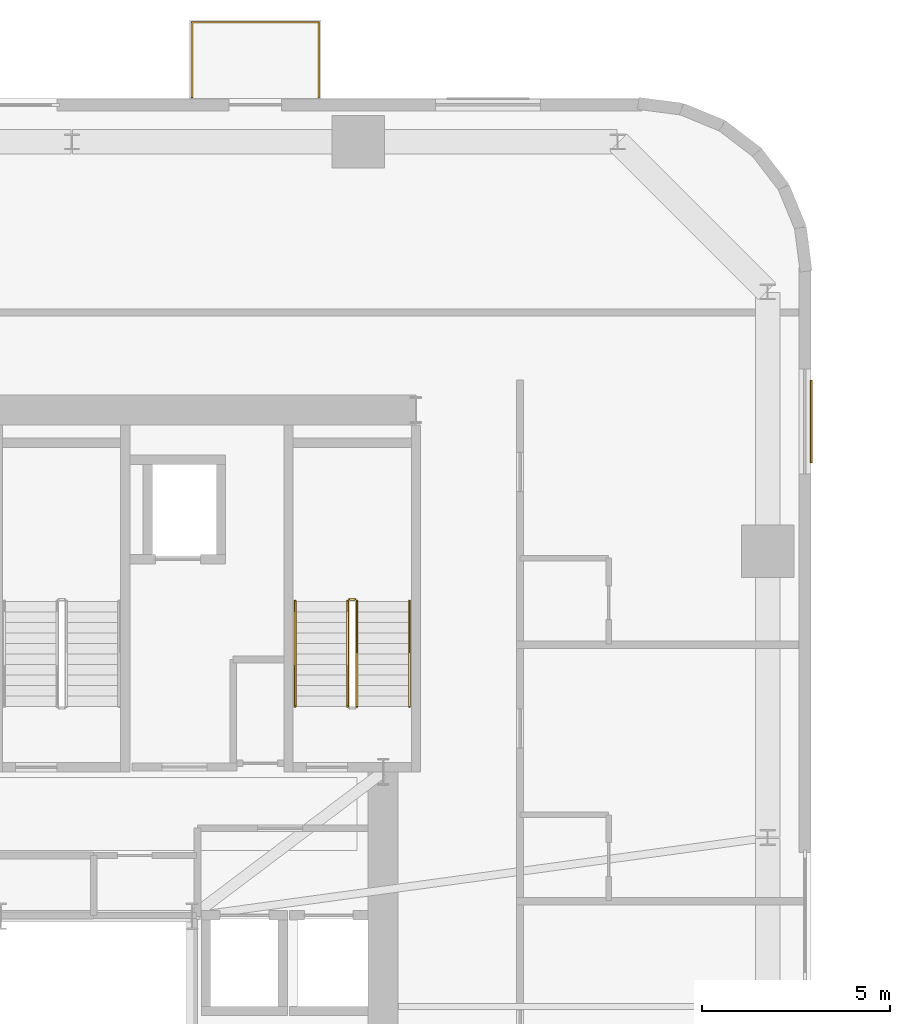
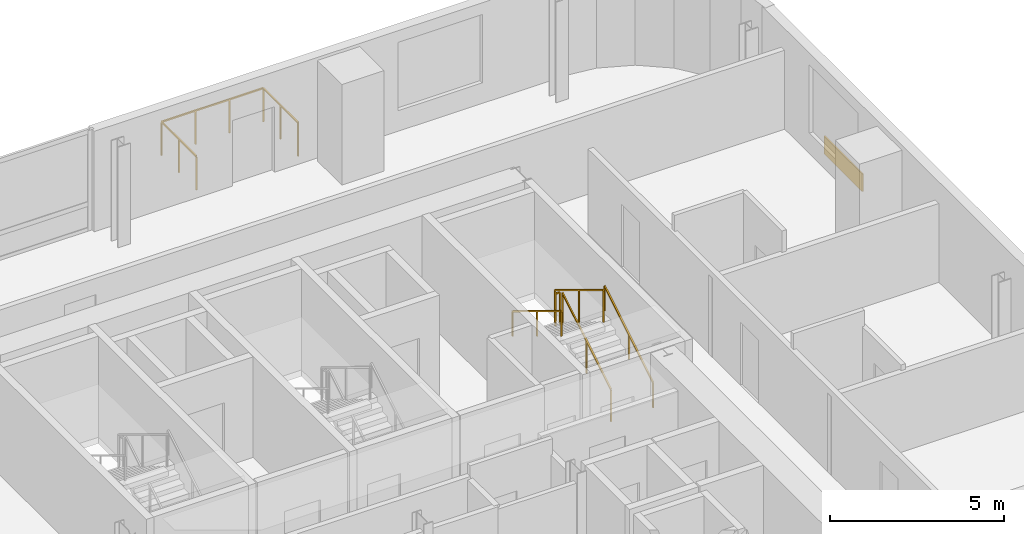
# One storey, part 16 of 16: 6 railings, 1 covering.
"""IFC4 building model written with IfcOpenShell, lengths in metres."""

from ifc_helpers import new_model, si_unit, direction, frame, origin, origin_2d, place, context, subcontext, project, spatial, rectangle, extrude, source, transform, mapped, material, layer, layer_set, type_object, element, save


model = new_model("IFC4")

# Units and contexts
model_context = context("Model", 3, precision=1e-05, world=origin(), true_north=direction((0.0, 1.0)))
body_context = subcontext(model_context, "Body", "Model", "MODEL_VIEW")
ifc_project = project(units=[si_unit("LENGTHUNIT", "METRE"), si_unit("AREAUNIT", "SQUARE_METRE"), si_unit("VOLUMEUNIT", "CUBIC_METRE"), si_unit("PLANEANGLEUNIT", "RADIAN"), si_unit("MASSUNIT", "GRAM", prefix="KILO")], contexts=[model_context])

# Site, building, storey
site_placement = place(None, origin())
site = spatial("IfcSite", under=ifc_project, at=site_placement, CompositionType="ELEMENT")
building_placement = place(site_placement, origin())
building = spatial("IfcBuilding", under=site, at=building_placement, Name="Vardaveli Station Tower", CompositionType="ELEMENT")
storey_placement = place(building_placement, frame((0.0, 0.0, 211.050048828125)))
storey = spatial("IfcBuildingStorey", under=building, at=storey_placement, Name="L54", CompositionType="ELEMENT", Elevation=211.050048828125)

# Covering
ifc_material_1 = material(Name="Ventilated honed travertine stone cladding", Category="masonry")
ifc_layer = layer(ifc_material_1, 0.044921875, Name="Ventilated honed travertine stone cladding")
ifc_layer_set = layer_set([ifc_layer], Name="Ventilated honed travertine stone cladding")
covering_type = type_object("IfcCoveringType", Name="COV-CLAD-TR45", PredefinedType="CLADDING", material=ifc_layer_set)
shared_shape_1 = source(origin(), body_context, "Body", "SweptSolid", [
    extrude(rectangle(XDim=2.199951171875, YDim=0.044921875, at=origin_2d()), origin(), (0.0, 0.0, 1.0), 0.6201171875),
])
covering_placement = place(storey_placement, frame((57.91455078125, 39.9951171875, 0.06982421875), z_axis=(0.0, 0.0, 1.0), x_axis=(0.0, 1.0, 0.0)))
element("IfcCovering", 1, at=covering_placement, inside=storey, type_object=covering_type, Name="CLD-TR-L54-E", PredefinedType="CLADDING", context=body_context, shape_type="MappedRepresentation", body=[
    mapped(shared_shape_1, transform((0.0, 0.0, 0.0), scale=1.0)),
])

# Railings
ifc_material_2 = material(Name="Laminated glass and stainless steel balustrade", Category="steel")
railing_type_1 = type_object("IfcRailingType", Name="RL-BAL-1200", PredefinedType="BALUSTRADE", material=ifc_material_2)
shared_shape_2 = source(origin(), body_context, "Body", "SweptSolid", [
    extrude(rectangle(XDim=0.048095703125, YDim=0.048095703125, at=origin_2d()), frame((0.0, 0.0, 1.17578125), z_axis=(0.0, 1.0, 0.0), x_axis=(-1.0, 0.0, 0.0)), (0.0, 0.0, 1.0), 2.0),
    extrude(rectangle(XDim=0.048095703125, YDim=0.048095703125, at=origin_2d()), frame((0.0, 2.0, 1.17578125), z_axis=(1.0, 0.0, 0.0), x_axis=(0.0, 1.0, 0.0)), (0.0, 0.0, 1.0), 3.3798828125),
    extrude(rectangle(XDim=0.048095703125, YDim=0.048095703125, at=origin_2d()), frame((3.3798828125, 2.0, 1.17578125), z_axis=(0.0, -1.0, 0.0), x_axis=(1.0, 0.0, 0.0)), (0.0, 0.0, 1.0), 2.0),
    extrude(rectangle(XDim=0.0419921875, YDim=0.0419921875, at=origin_2d()), origin(), (0.0, 0.0, 1.0), 1.15185546875),
    extrude(rectangle(XDim=0.0419921875, YDim=0.0419921875, at=origin_2d()), frame((0.0, 1.0, 0.0)), (0.0, 0.0, 1.0), 1.15185546875),
    extrude(rectangle(XDim=0.0419921875, YDim=0.0419921875, at=origin_2d()), frame((0.0, 2.0, 0.0)), (0.0, 0.0, 1.0), 1.15185546875),
    extrude(rectangle(XDim=0.0419921875, YDim=0.0419921875, at=origin_2d()), frame((1.126708984375, 2.0, 0.0)), (0.0, 0.0, 1.0), 1.15185546875),
    extrude(rectangle(XDim=0.0419921875, YDim=0.0419921875, at=origin_2d()), frame((2.253173828125, 2.0, 0.0)), (0.0, 0.0, 1.0), 1.15185546875),
    extrude(rectangle(XDim=0.0419921875, YDim=0.0419921875, at=origin_2d()), frame((3.3798828125, 2.0, 0.0)), (0.0, 0.0, 1.0), 1.15185546875),
    extrude(rectangle(XDim=0.0419921875, YDim=0.0419921875, at=origin_2d()), frame((3.3798828125, 1.0, 0.0)), (0.0, 0.0, 1.0), 1.15185546875),
    extrude(rectangle(XDim=0.0419921875, YDim=0.0419921875, at=origin_2d()), frame((3.3798828125, 0.0, 0.0)), (0.0, 0.0, 1.0), 1.15185546875),
])
railing_1_placement = place(storey_placement, frame((41.399658203125, 48.639892578125, 0.0)))
element("IfcRailing", 2, at=railing_1_placement, inside=storey, type_object=railing_type_1, Name="RL-LOG-L54-02", PredefinedType="BALUSTRADE", context=body_context, shape_type="MappedRepresentation", body=[
    mapped(shared_shape_2, transform((0.0, 0.0, 0.0), scale=1.0)),
])
ifc_material_3 = material(Name="Brushed AISI 316 stainless steel", Category="steel")
railing_type_2 = type_object("IfcRailingType", Name="RL-GUARD-1150", PredefinedType="GUARDRAIL", material=ifc_material_3)
shared_shape_3 = source(origin(), body_context, "Body", "SweptSolid", [
    extrude(rectangle(XDim=0.048095703125, YDim=0.048095703125, at=origin_2d()), frame((0.0, 0.0, 1.1259765625), z_axis=(-1.0, 0.0, 0.0), x_axis=(0.0, -1.0, 0.0)), (0.0, 0.0, 1.0), 0.14990234375),
    extrude(rectangle(XDim=0.0419921875, YDim=0.0419921875, at=origin_2d()), origin(), (0.0, 0.0, 1.0), 1.101806640625),
    extrude(rectangle(XDim=0.0419921875, YDim=0.0419921875, at=origin_2d()), frame((-0.14990234375, 0.0, 0.0)), (0.0, 0.0, 1.0), 1.101806640625),
])
railing_2_placement = place(storey_placement, frame((45.75, 35.25, 1.875)))
element("IfcRailing", 3, at=railing_2_placement, inside=storey, type_object=railing_type_2, Name="L54 ST-3 stair guard 2", PredefinedType="GUARDRAIL", context=body_context, shape_type="MappedRepresentation", body=[
    mapped(shared_shape_3, transform((0.0, 0.0, 0.0), scale=1.0)),
])
shared_shape_4 = source(origin(), body_context, "Body", "SweptSolid", [
    extrude(rectangle(XDim=0.048095703125, YDim=0.048095703125, at=origin_2d()), frame((0.0, 0.0, 1.1259765625), z_axis=(0.0, 0.854169791009, 0.51999420009), x_axis=(-1.0, 0.0, 0.0)), (0.0, 0.0, 1.0), 3.278076171875),
    extrude(rectangle(XDim=0.0419921875, YDim=0.0419921875, at=origin_2d()), origin(), (0.0, 0.0, 1.0), 1.101806640625),
    extrude(rectangle(XDim=0.0419921875, YDim=0.0419921875, at=origin_2d()), frame((0.0, 1.39990234375, 0.852294921875)), (0.0, 0.0, 1.0), 1.101806640625),
    extrude(rectangle(XDim=0.0419921875, YDim=0.0419921875, at=origin_2d()), frame((0.0, 2.800048828125, 1.70458984375)), (0.0, 0.0, 1.0), 1.101806640625),
])
railing_3_placement = place(storey_placement, frame((45.800048828125, 32.39990234375, 0.17041015625)))
element("IfcRailing", 4, at=railing_3_placement, inside=storey, type_object=railing_type_2, Name="L54 ST-3 stair guard 1", PredefinedType="GUARDRAIL", context=body_context, shape_type="MappedRepresentation", body=[
    mapped(shared_shape_4, transform((0.0, 0.0, 0.0), scale=1.0)),
])
shared_shape_5 = source(origin(), body_context, "Body", "SweptSolid", [
    extrude(rectangle(XDim=0.048095703125, YDim=0.048095703125, at=origin_2d()), frame((0.0, 0.0, 1.1259765625), z_axis=(0.0, -0.854169791009, 0.51999420009), x_axis=(1.0, 0.0, 0.0)), (0.0, 0.0, 1.0), 3.278076171875),
    extrude(rectangle(XDim=0.0419921875, YDim=0.0419921875, at=origin_2d()), origin(), (0.0, 0.0, 1.0), 1.101806640625),
    extrude(rectangle(XDim=0.0419921875, YDim=0.0419921875, at=origin_2d()), frame((0.0, -1.39990234375, 0.852294921875)), (0.0, 0.0, 1.0), 1.101806640625),
    extrude(rectangle(XDim=0.0419921875, YDim=0.0419921875, at=origin_2d()), frame((0.0, -2.800048828125, 1.70458984375)), (0.0, 0.0, 1.0), 1.101806640625),
])
railing_4_placement = place(storey_placement, frame((45.550048828125, 35.199951171875, 2.04541015625)))
element("IfcRailing", 5, at=railing_4_placement, inside=storey, type_object=railing_type_2, Name="L54 ST-3 stair guard 3", PredefinedType="GUARDRAIL", context=body_context, shape_type="MappedRepresentation", body=[
    mapped(shared_shape_5, transform((0.0, 0.0, 0.0), scale=1.0)),
])
railing_type_3 = type_object("IfcRailingType", Name="RL-HAND-900", PredefinedType="HANDRAIL", material=ifc_material_3)
shared_shape_6 = source(origin(), body_context, "Body", "SweptSolid", [
    extrude(rectangle(XDim=0.048095703125, YDim=0.048095703125, at=origin_2d()), frame((0.0, 0.0, 0.8759765625), z_axis=(0.0, 0.854169791009, 0.51999420009), x_axis=(-1.0, 0.0, 0.0)), (0.0, 0.0, 1.0), 3.278076171875),
    extrude(rectangle(XDim=0.0419921875, YDim=0.0419921875, at=origin_2d()), origin(), (0.0, 0.0, 1.0), 0.851806640625),
    extrude(rectangle(XDim=0.0419921875, YDim=0.0419921875, at=origin_2d()), frame((0.0, 1.39990234375, 0.852294921875)), (0.0, 0.0, 1.0), 0.851806640625),
    extrude(rectangle(XDim=0.0419921875, YDim=0.0419921875, at=origin_2d()), frame((0.0, 2.800048828125, 1.70458984375)), (0.0, 0.0, 1.0), 0.851806640625),
])
railing_5_placement = place(storey_placement, frame((47.199951171875, 32.39990234375, 0.17041015625)))
element("IfcRailing", 6, at=railing_5_placement, inside=storey, type_object=railing_type_3, Name="L54 ST-3 stair handrail 1", PredefinedType="HANDRAIL", context=body_context, shape_type="MappedRepresentation", body=[
    mapped(shared_shape_6, transform((0.0, 0.0, 0.0), scale=1.0)),
])
shared_shape_7 = source(origin(), body_context, "Body", "SweptSolid", [
    extrude(rectangle(XDim=0.048095703125, YDim=0.048095703125, at=origin_2d()), frame((0.0, 0.0, 0.8759765625), z_axis=(0.0, -0.854169791009, 0.51999420009), x_axis=(1.0, 0.0, 0.0)), (0.0, 0.0, 1.0), 3.278076171875),
    extrude(rectangle(XDim=0.0419921875, YDim=0.0419921875, at=origin_2d()), origin(), (0.0, 0.0, 1.0), 0.851806640625),
    extrude(rectangle(XDim=0.0419921875, YDim=0.0419921875, at=origin_2d()), frame((0.0, -1.39990234375, 0.852294921875)), (0.0, 0.0, 1.0), 0.851806640625),
    extrude(rectangle(XDim=0.0419921875, YDim=0.0419921875, at=origin_2d()), frame((0.0, -2.800048828125, 1.70458984375)), (0.0, 0.0, 1.0), 0.851806640625),
])
railing_6_placement = place(storey_placement, frame((44.14990234375, 35.199951171875, 2.04541015625)))
element("IfcRailing", 7, at=railing_6_placement, inside=storey, type_object=railing_type_3, Name="L54 ST-3 stair handrail 2", PredefinedType="HANDRAIL", context=body_context, shape_type="MappedRepresentation", body=[
    mapped(shared_shape_7, transform((0.0, 0.0, 0.0), scale=1.0)),
])

save(model, "model.ifc")
